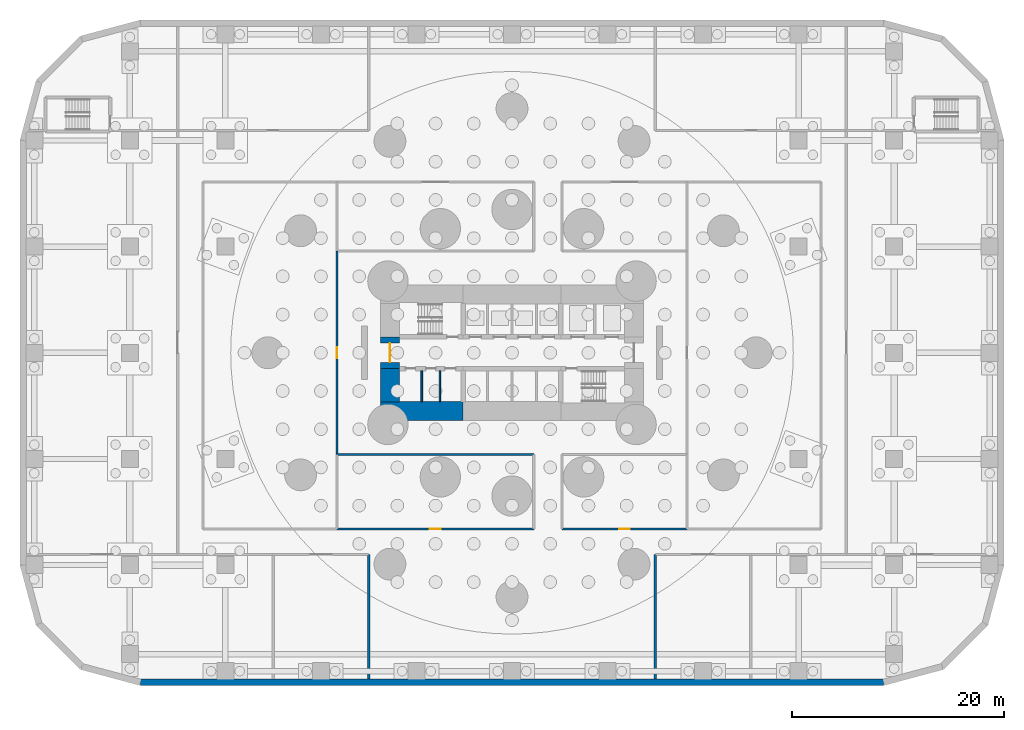
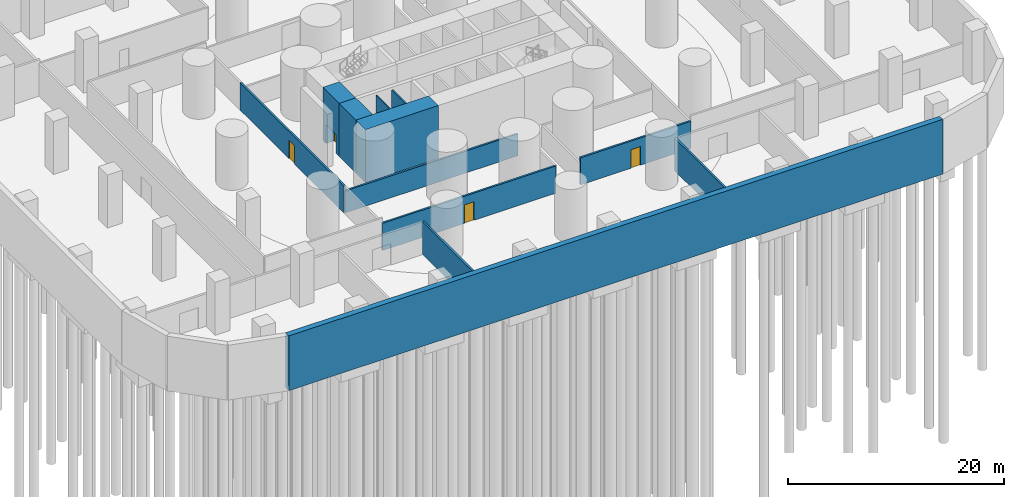
# One storey, part 4 of 10: 12 walls, 4 doors, 4 openings.
"""IFC4 building model written with IfcOpenShell, lengths in metres."""

import ifcopenshell
import ifcopenshell.guid

model = None  # the IFC model being written
_history = None  # IfcOwnerHistory: only IFC2X3 demands one
_inside = {}  # id of a spatial element -> (the spatial element, [elements in it])
_under = {}  # id of a project, library or spatial element -> (it, [spatial elements below it])
_declared = {}  # id of a project -> (the project, [libraries it declares])
_typed = {}  # id of a type object -> (the type object, [elements of that type])
_made_of = {}  # id of a material, layer set ... -> (it, [elements and type objects made of it])


def new_model(schema):
    """Start an empty IFC model of exactly this schema.

    Asked for "IFC4X3", IfcOpenShell would pick the latest addendum, in which some entities
    have other attributes; the version numbers below select the first issue.
    IFC2X3 requires an IfcOwnerHistory on every rooted entity: one is made here for all.
    """
    global model, _history
    if schema == "IFC4X3":
        model = ifcopenshell.file(schema_version=(4, 3, 0, 0))
    else:
        model = ifcopenshell.file(schema=schema)
    _inside.clear()
    _under.clear()
    _declared.clear()
    _typed.clear()
    _made_of.clear()
    _history = None
    if model.schema == "IFC2X3":
        org = make("IfcOrganization", Name="unknown")
        user = make(
            "IfcPersonAndOrganization",
            ThePerson=make("IfcPerson", FamilyName="unknown"),
            TheOrganization=org,
        )
        app = make(
            "IfcApplication",
            ApplicationDeveloper=org,
            Version="unknown",
            ApplicationFullName="unknown",
            ApplicationIdentifier="unknown",
        )
        _history = make(
            "IfcOwnerHistory",
            OwningUser=user,
            OwningApplication=app,
            ChangeAction="ADDED",
            CreationDate=0,
        )
    return model


def make(cls, **values):
    """One entity of the class cls with the attributes given. An attribute that is None is left unset."""
    return model.create_entity(
        cls, **{name: value for name, value in values.items() if value is not None}
    )


def rooted(cls, **values):
    """An entity with a GlobalId (a new one), such as an element, a storey or a relation."""
    return make(cls, GlobalId=ifcopenshell.guid.new(), OwnerHistory=_history, **values)


def si_unit(unit_type, name, prefix=None):
    """IfcSIUnit, for example si_unit("LENGTHUNIT", "METRE", prefix="MILLI")."""
    return make("IfcSIUnit", UnitType=unit_type, Prefix=prefix, Name=name)


def assignment(units):
    """IfcUnitAssignment: the units of a project."""
    return None if units is None else make("IfcUnitAssignment", Units=units)


def point(xyz):
    """IfcCartesianPoint."""
    return None if xyz is None else make("IfcCartesianPoint", Coordinates=xyz)


def direction(xyz):
    """IfcDirection."""
    return None if xyz is None else make("IfcDirection", DirectionRatios=xyz)


def frame(location, z_axis=None, x_axis=None):
    """IfcAxis2Placement3D, a coordinate frame: its origin and axes. An axis left out is left unset."""
    return make(
        "IfcAxis2Placement3D",
        Location=point(location),
        Axis=direction(z_axis),
        RefDirection=direction(x_axis),
    )


def frame_2d(location, x_axis=None):
    """IfcAxis2Placement2D, a coordinate frame in the plane: its origin and x axis."""
    return make(
        "IfcAxis2Placement2D", Location=point(location), RefDirection=direction(x_axis)
    )


def origin():
    """The frame at (0, 0, 0) with its axes left unset."""
    return frame((0.0, 0.0, 0.0))


def place(relative_to, where):
    """IfcLocalPlacement: puts the frame where relative to a parent placement (None: the world)."""
    return make(
        "IfcLocalPlacement", PlacementRelTo=relative_to, RelativePlacement=where
    )


def context(
    kind, dimensions, precision=None, world=None, true_north=None, identifier=None
):
    """IfcGeometricRepresentationContext, for example the 3D "Model" context."""
    return make(
        "IfcGeometricRepresentationContext",
        ContextIdentifier=identifier,
        ContextType=kind,
        CoordinateSpaceDimension=dimensions,
        Precision=precision,
        WorldCoordinateSystem=world,
        TrueNorth=true_north,
    )


def subcontext(parent, identifier, kind, view, scale=None):
    """IfcGeometricRepresentationSubContext, for example "Body" below "Model"."""
    return make(
        "IfcGeometricRepresentationSubContext",
        ContextIdentifier=identifier,
        ContextType=kind,
        ParentContext=parent,
        TargetScale=scale,
        TargetView=view,
    )


def project(units=None, contexts=None):
    """IfcProject with its units and contexts."""
    return rooted(
        "IfcProject",
        Name="project",
        RepresentationContexts=contexts,
        UnitsInContext=assignment(units),
    )


def spatial(cls, under=None, at=None, **own):
    """A site, building, storey or space (cls), placed at a placement, below another one or the project."""
    s = rooted(cls, ObjectPlacement=at, **own)
    if under is not None:
        _under.setdefault(under.id(), (under, []))[1].append(s)
    return s


def profile(cls, at=None, kind="AREA", **sizes):
    """A parametric profile (cls). Its sizes go by their IFC names, for example OverallWidth=200.0."""
    return make(cls, ProfileType=kind, Position=at, **sizes)


def rectangle(**sizes):
    """IfcRectangleProfileDef."""
    return profile("IfcRectangleProfileDef", **sizes)


def extrude(swept, where, along, depth):
    """IfcExtrudedAreaSolid: the profile swept, set in the frame where, extruded along a direction by depth."""
    return make(
        "IfcExtrudedAreaSolid",
        SweptArea=swept,
        Position=where,
        ExtrudedDirection=direction(along),
        Depth=depth,
    )


def shape(context_of_items, identifier, shape_type, items):
    """IfcShapeRepresentation: the items that make up one representation, for example the "Body"."""
    return make(
        "IfcShapeRepresentation",
        ContextOfItems=context_of_items,
        RepresentationIdentifier=identifier,
        RepresentationType=shape_type,
        Items=items,
    )


def material(Name=None, Category=None):
    """IfcMaterial."""
    return make("IfcMaterial", Name=Name, Category=Category)


def layer(
    of_material, thickness, ventilated=None, Name=None, Category=None, Priority=None
):
    """IfcMaterialLayer: one layer of a wall or slab, of a material (None: an air gap)."""
    return make(
        "IfcMaterialLayer",
        Material=of_material,
        LayerThickness=thickness,
        IsVentilated=ventilated,
        Name=Name,
        Category=Category,
        Priority=Priority,
    )


def layer_set(layers, Name=None):
    """IfcMaterialLayerSet."""
    return make("IfcMaterialLayerSet", MaterialLayers=layers, LayerSetName=Name)


def made_of(thing, what):
    """Note that an element or type object is made of a material, layer set ...; save() writes the relation."""
    if what is not None:
        _made_of.setdefault(what.id(), (what, []))[1].append(thing)
    return thing


def type_object(cls, material=None, **own):
    """A type object (cls), such as IfcWallType, which elements share."""
    return made_of(rooted(cls, **own), material)


def element(
    cls,
    number,
    at=None,
    inside=None,
    cuts=None,
    type_object=None,
    material=None,
    context=None,
    identifier="Body",
    shape_type=None,
    held_by="IfcProductDefinitionShape",
    body=None,
    shapes=None,
    **own,
):
    """One element of the class cls, such as IfcWall. Its Tag is "e" and its number.

    at: its placement. inside: the storey or other place that contains it. cuts: it is an
    opening in that element (IfcRelVoidsElement). A single representation is given by context,
    identifier, shape_type and body (its items); several are given by shapes. held_by: the class
    of the entity that holds the representations. save() writes the other relations.
    """
    e = rooted(cls, Tag="e%d" % number, ObjectPlacement=at, **own)
    if body is not None:
        shapes = [shape(context, identifier, shape_type, body)]
    if shapes is not None:
        e.Representation = make(held_by, Representations=shapes)
    if inside is not None:
        _inside.setdefault(inside.id(), (inside, []))[1].append(e)
    if cuts is not None:
        rooted(
            "IfcRelVoidsElement", RelatingBuildingElement=cuts, RelatedOpeningElement=e
        )
    if type_object is not None:
        _typed.setdefault(type_object.id(), (type_object, []))[1].append(e)
    return made_of(e, material)


def fill(opening, filler):
    """IfcRelFillsElement: the door or window that sits in an opening."""
    return rooted(
        "IfcRelFillsElement",
        RelatingOpeningElement=opening,
        RelatedBuildingElement=filler,
    )


def aggregate(whole, parts):
    """IfcRelAggregates: a whole, such as a stair, and the parts it consists of."""
    return rooted("IfcRelAggregates", RelatingObject=whole, RelatedObjects=parts)


def save(model, path):
    """Write the relations noted so far, then the file.

    IfcRelAggregates (storeys below a building ...), IfcRelContainedInSpatialStructure (elements
    in a storey), IfcRelDefinesByType, IfcRelAssociatesMaterial and IfcRelDeclares: one each for
    every whole, place, type object, material and project.
    """
    for whole, parts in _under.values():
        aggregate(whole, parts)
    for where, things in _inside.values():
        rooted(
            "IfcRelContainedInSpatialStructure",
            RelatedElements=things,
            RelatingStructure=where,
        )
    for kind, things in _typed.values():
        rooted("IfcRelDefinesByType", RelatedObjects=things, RelatingType=kind)
    for what, things in _made_of.values():
        rooted("IfcRelAssociatesMaterial", RelatedObjects=things, RelatingMaterial=what)
    for by, libraries in _declared.values():
        rooted("IfcRelDeclares", RelatingContext=by, RelatedDefinitions=libraries)
    model.write(path)


model = new_model("IFC4")

# Units and contexts
model_context = context("Model", 3, precision=1e-05, world=origin(), true_north=direction((0.0, 1.0)))
body_context = subcontext(model_context, "Body", "Model", "MODEL_VIEW")
ifc_project = project(units=[si_unit("LENGTHUNIT", "METRE"), si_unit("AREAUNIT", "SQUARE_METRE"), si_unit("VOLUMEUNIT", "CUBIC_METRE"), si_unit("PLANEANGLEUNIT", "RADIAN"), si_unit("MASSUNIT", "GRAM", prefix="KILO")], contexts=[model_context])

# Site, building, storey
site_placement = place(None, origin())
site = spatial("IfcSite", under=ifc_project, at=site_placement, CompositionType="ELEMENT")
building_placement = place(site_placement, origin())
building = spatial("IfcBuilding", under=site, at=building_placement, Name="Qaws Media Tower", CompositionType="ELEMENT")
storey_placement = place(building_placement, frame((0.0, 0.0, -6.0)))
storey = spatial("IfcBuildingStorey", under=building, at=storey_placement, Name="B1", CompositionType="ELEMENT", Elevation=-6.0)

# Walls
ifc_material_1 = material(Name="Concrete C60/75", Category="concrete")
ifc_layer_1 = layer(ifc_material_1, 1.800048828125)
ifc_layer_set_1 = layer_set([ifc_layer_1], Name="Core wall 1800")
wall_type_1 = type_object("IfcWallType", Name="Core wall 1800", PredefinedType="SHEAR", material=ifc_layer_set_1)
wall_1_placement = place(storey_placement, frame((47.60009765625, 44.5, 0.0), z_axis=(0.0, 0.0, 1.0), x_axis=(1.0, 0.0, 0.0)))
element("IfcWall", 1, at=wall_1_placement, inside=storey, type_object=wall_type_1, Name="W398 SW11 core wall SW B1", PredefinedType="SHEAR", context=body_context, shape_type="SweptSolid", body=[
    extrude(rectangle(XDim=7.7998046875, YDim=1.800048828125, at=frame_2d((3.89990234375, 0.0))), origin(), (0.0, 0.0, 1.0), 6.0),
])
wall_2_placement = place(storey_placement, frame((48.5, 45.3798828125, 0.0), z_axis=(0.0, 0.0, 1.0), x_axis=(0.0, 1.0, 0.0)))
element("IfcWall", 2, at=wall_2_placement, inside=storey, type_object=wall_type_1, Name="W400 SW11 core wall WS B1", PredefinedType="SHEAR", context=body_context, shape_type="SweptSolid", body=[
    extrude(rectangle(XDim=3.1201171875, YDim=1.800048828125, at=frame_2d((1.56005859375, 0.0))), origin(), (0.0, 0.0, 1.0), 6.0),
])

# Wall, opening, door
wall_3_placement = place(storey_placement, frame((48.5, 48.5, 0.0), z_axis=(0.0, 0.0, 1.0), x_axis=(0.0, 1.0, 0.0)))
wall_3 = element("IfcWall", 3, at=wall_3_placement, inside=storey, type_object=wall_type_1, Name="W401 SW11 core wall W B1", PredefinedType="SHEAR", context=body_context, shape_type="SweptSolid", body=[
    extrude(rectangle(XDim=3.0, YDim=1.800048828125, at=frame_2d((1.5, 0.0))), origin(), (0.0, 0.0, 1.0), 6.0),
])
opening_1_placement = place(wall_3_placement, frame((0.60009765625, 0.0, 0.0)))
opening_1 = element("IfcOpeningElement", 4, at=opening_1_placement, cuts=wall_3, Name="Opening D2", PredefinedType="OPENING", context=body_context, shape_type="SweptSolid", body=[
    extrude(rectangle(XDim=1.800048828125, YDim=2.10009765625, at=frame_2d((0.89990234375, 1.050048828125))), frame((0.0, 0.909912109375, 0.0), z_axis=(0.0, -1.0, 0.0), x_axis=(1.0, 0.0, 0.0)), (0.0, 0.0, 1.0), 1.820068359375),
])
ifc_material_2 = material(Name="Steel and glass, fire rated", Category="steel")
door_type_1 = type_object("IfcDoorType", Name="Lobby door pair 1800 FD60", OperationType="DOUBLE_DOOR_DOUBLE_SWING", PredefinedType="DOOR", material=ifc_material_2)
door_1_placement = place(opening_1_placement, origin())
door_1 = element("IfcDoor", 5, at=door_1_placement, inside=storey, type_object=door_type_1, Name="D2 core lobby door W B1 in wall W401", OperationType="DOUBLE_DOOR_DOUBLE_SWING", OverallHeight=2.10009765625, OverallWidth=1.800048828125, PredefinedType="DOOR", context=body_context, shape_type="SweptSolid", body=[
    extrude(rectangle(XDim=1.800048828125, YDim=2.10009765625, at=frame_2d((0.89990234375, 1.050048828125))), frame((0.0, 0.02490234375, 0.0), z_axis=(0.0, -1.0, 0.0), x_axis=(1.0, 0.0, 0.0)), (0.0, 0.0, 1.0), 0.050048828125),
])
fill(opening_1, door_1)

# Walls
ifc_material_3 = material(Name="215 dense concrete blockwork, fair faced", Category="masonry")
ifc_layer_2 = layer(ifc_material_3, 0.215087890625)
ifc_layer_set_2 = layer_set([ifc_layer_2], Name="Plant room blockwork wall 215")
wall_type_2 = type_object("IfcWallType", Name="Plant room blockwork wall 215", PredefinedType="PARTITIONING", material=ifc_layer_set_2)
for number, where, z_axis, x_axis, name in (
    (6, (46.5, 19.2548828125, 0.0), (0.0, 0.0, 1.0), (0.0, 1.0, 0.0), "W738 IW7 partition B1"),
    (7, (73.5, 19.2548828125, 0.0), (0.0, 0.0, 1.0), (0.0, 1.0, 0.0), "W740 IW7 partition B1"),
):
    element("IfcWall", number, at=place(storey_placement, frame(where, z_axis=z_axis, x_axis=x_axis)), inside=storey, type_object=wall_type_2, Name=name, PredefinedType="PARTITIONING", context=body_context, shape_type="SweptSolid", body=[
        extrude(rectangle(XDim=11.7451171875, YDim=0.215087890625, at=frame_2d((5.87255859375, 0.0))), origin(), (0.0, 0.0, 1.0), 3.679931640625),
    ])
ifc_material_4 = material(Name="Concrete C60/75", Category="concrete")
ifc_layer_3 = layer(ifc_material_4, 0.60009765625)
ifc_layer_set_3 = layer_set([ifc_layer_3], Name="Retaining wall 600")
wall_type_3 = type_object("IfcWallType", Name="Retaining wall 600", PredefinedType="SOLIDWALL", material=ifc_layer_set_3)
wall_4_placement = place(storey_placement, frame((25.0, 18.949951171875, -0.5), z_axis=(0.0, 0.0, 1.0), x_axis=(1.0, 0.0, 0.0)))
element("IfcWall", 8, at=wall_4_placement, inside=storey, type_object=wall_type_3, Name="W801 RW1 retaining wall 16", PredefinedType="SOLIDWALL", context=body_context, shape_type="SweptSolid", body=[
    extrude(rectangle(XDim=70.0, YDim=0.60009765625, at=frame_2d((35.0, 0.0))), origin(), (0.0, 0.0, 1.0), 6.199951171875),
])

# Wall, opening, door
ifc_material_5 = material(Name="Gypsum board on galvanised metal studs, acoustic double stud, deflection head", Category="gypsum")
ifc_layer_4 = layer(ifc_material_5, 0.199951171875)
ifc_layer_set_4 = layer_set([ifc_layer_4], Name="Room partition 200")
wall_type_4 = type_object("IfcWallType", Name="Room partition 200", PredefinedType="PARTITIONING", material=ifc_layer_set_4)
wall_5_placement = place(storey_placement, frame((43.5, 40.39990234375, 0.0), z_axis=(0.0, 0.0, 1.0), x_axis=(0.0, 1.0, 0.0)))
wall_5 = element("IfcWall", 9, at=wall_5_placement, inside=storey, type_object=wall_type_4, Name="W819 IW3 partition B1", PredefinedType="PARTITIONING", context=body_context, shape_type="SweptSolid", body=[
    extrude(rectangle(XDim=19.2001953125, YDim=0.199951171875, at=frame_2d((9.60009765625, 0.0))), origin(), (0.0, 0.0, 1.0), 3.080078125),
])
opening_2_placement = place(wall_5_placement, frame((9.10009765625, 0.0, 0.0)))
opening_2 = element("IfcOpeningElement", 10, at=opening_2_placement, cuts=wall_5, Name="Opening D5", PredefinedType="OPENING", context=body_context, shape_type="SweptSolid", body=[
    extrude(rectangle(XDim=1.0, YDim=2.10009765625, at=frame_2d((0.5, 1.050048828125))), frame((0.0, 0.10986328125, 0.0), z_axis=(0.0, -1.0, 0.0), x_axis=(1.0, 0.0, 0.0)), (0.0, 0.0, 1.0), 0.219970703125),
])
ifc_material_6 = material(Name="Timber veneered, acoustic seal", Category="wood")
door_type_2 = type_object("IfcDoorType", Name="Room door 1000", OperationType="SINGLE_SWING_LEFT", PredefinedType="DOOR", material=ifc_material_6)
door_2_placement = place(opening_2_placement, origin())
door_2 = element("IfcDoor", 11, at=door_2_placement, inside=storey, type_object=door_type_2, Name="D5 Records store door in wall W819", OperationType="SINGLE_SWING_LEFT", OverallHeight=2.10009765625, OverallWidth=1.0, PredefinedType="DOOR", context=body_context, shape_type="SweptSolid", body=[
    extrude(rectangle(XDim=1.0, YDim=2.10009765625, at=frame_2d((0.5, 1.050048828125))), frame((0.0, 0.02490234375, 0.0), z_axis=(0.0, -1.0, 0.0), x_axis=(1.0, 0.0, 0.0)), (0.0, 0.0, 1.0), 0.050048828125),
])
fill(opening_2, door_2)

wall_6_placement = place(storey_placement, frame((43.5, 33.39990234375, 0.0), z_axis=(0.0, 0.0, 1.0), x_axis=(1.0, 0.0, 0.0)))
wall_6 = element("IfcWall", 12, at=wall_6_placement, inside=storey, type_object=wall_type_4, Name="W818 IW3 partition B1", PredefinedType="PARTITIONING", context=body_context, shape_type="SweptSolid", body=[
    extrude(rectangle(XDim=18.550048828125, YDim=0.199951171875, at=frame_2d((9.27490234375, 0.0))), origin(), (0.0, 0.0, 1.0), 3.080078125),
])
opening_3_placement = place(wall_6_placement, frame((8.77490234375, 0.0, 0.0)))
opening_3 = element("IfcOpeningElement", 13, at=opening_3_placement, cuts=wall_6, Name="Opening D5", PredefinedType="OPENING", context=body_context, shape_type="SweptSolid", body=[
    extrude(rectangle(XDim=1.0, YDim=2.10009765625, at=frame_2d((0.5, 1.050048828125))), frame((0.0, 0.10986328125, 0.0), z_axis=(0.0, -1.0, 0.0), x_axis=(1.0, 0.0, 0.0)), (0.0, 0.0, 1.0), 0.219970703125),
])
door_3_placement = place(opening_3_placement, origin())
door_3 = element("IfcDoor", 14, at=door_3_placement, inside=storey, type_object=door_type_2, Name="D5 Wardrobe store door in wall W818", OperationType="SINGLE_SWING_LEFT", OverallHeight=2.10009765625, OverallWidth=1.0, PredefinedType="DOOR", context=body_context, shape_type="SweptSolid", body=[
    extrude(rectangle(XDim=1.0, YDim=2.10009765625, at=frame_2d((0.5, 1.050048828125))), frame((0.0, 0.02490234375, 0.0), z_axis=(0.0, -1.0, 0.0), x_axis=(1.0, 0.0, 0.0)), (0.0, 0.0, 1.0), 0.050048828125),
])
fill(opening_3, door_3)

wall_7_placement = place(storey_placement, frame((64.699951171875, 33.39990234375, 0.0), z_axis=(0.0, 0.0, 1.0), x_axis=(1.0, 0.0, 0.0)))
wall_7 = element("IfcWall", 15, at=wall_7_placement, inside=storey, type_object=wall_type_4, Name="W827 IW3 partition B1", PredefinedType="PARTITIONING", context=body_context, shape_type="SweptSolid", body=[
    extrude(rectangle(XDim=11.800048828125, YDim=0.199951171875, at=frame_2d((5.89990234375, 0.0))), origin(), (0.0, 0.0, 1.0), 3.080078125),
])
opening_4_placement = place(wall_7_placement, frame((5.39990234375, 0.0, 0.0)))
opening_4 = element("IfcOpeningElement", 16, at=opening_4_placement, cuts=wall_7, Name="Opening D5", PredefinedType="OPENING", context=body_context, shape_type="SweptSolid", body=[
    extrude(rectangle(XDim=1.0, YDim=2.10009765625, at=frame_2d((0.5, 1.050048828125))), frame((0.0, 0.10986328125, 0.0), z_axis=(0.0, -1.0, 0.0), x_axis=(1.0, 0.0, 0.0)), (0.0, 0.0, 1.0), 0.219970703125),
])
door_4_placement = place(opening_4_placement, origin())
door_4 = element("IfcDoor", 17, at=door_4_placement, inside=storey, type_object=door_type_2, Name="D5 Technical store door in wall W827", OperationType="SINGLE_SWING_LEFT", OverallHeight=2.10009765625, OverallWidth=1.0, PredefinedType="DOOR", context=body_context, shape_type="SweptSolid", body=[
    extrude(rectangle(XDim=1.0, YDim=2.10009765625, at=frame_2d((0.5, 1.050048828125))), frame((0.0, 0.02490234375, 0.0), z_axis=(0.0, -1.0, 0.0), x_axis=(1.0, 0.0, 0.0)), (0.0, 0.0, 1.0), 0.050048828125),
])
fill(opening_4, door_4)

# Walls
wall_8_placement = place(storey_placement, frame((43.5, 40.39990234375, 0.0), z_axis=(0.0, 0.0, 1.0), x_axis=(1.0, 0.0, 0.0)))
element("IfcWall", 18, at=wall_8_placement, inside=storey, type_object=wall_type_4, Name="W820 IW3 partition B1", PredefinedType="PARTITIONING", context=body_context, shape_type="SweptSolid", body=[
    extrude(rectangle(XDim=18.550048828125, YDim=0.199951171875, at=frame_2d((9.27490234375, 0.0))), origin(), (0.0, 0.0, 1.0), 2.47998046875),
])
ifc_material_7 = material(Name="Gypsum board on galvanised metal studs, deflection head", Category="gypsum")
ifc_layer_5 = layer(ifc_material_7, 0.14990234375)
ifc_layer_set_5 = layer_set([ifc_layer_5], Name="WC partition 150")
wall_type_5 = type_object("IfcWallType", Name="WC partition 150", PredefinedType="PARTITIONING", material=ifc_layer_set_5)
for number, where, z_axis, x_axis, name in (
    (19, (51.5, 45.39990234375, 0.0), (0.0, 0.0, 1.0), (0.0, 1.0, 0.0), "W1898 IW2 toilet partition 1 B1"),
    (20, (53.199951171875, 45.39990234375, 0.0), (0.0, 0.0, 1.0), (0.0, 1.0, 0.0), "W1899 IW2 toilet partition 2 B1"),
):
    element("IfcWall", number, at=place(storey_placement, frame(where, z_axis=z_axis, x_axis=x_axis)), inside=storey, type_object=wall_type_5, Name=name, PredefinedType="PARTITIONING", context=body_context, shape_type="SweptSolid", body=[
        extrude(rectangle(XDim=2.900146484375, YDim=0.14990234375, at=frame_2d((1.4501953125, 0.0))), origin(), (0.0, 0.0, 1.0), 5.699951171875),
    ])

save(model, "model.ifc")
